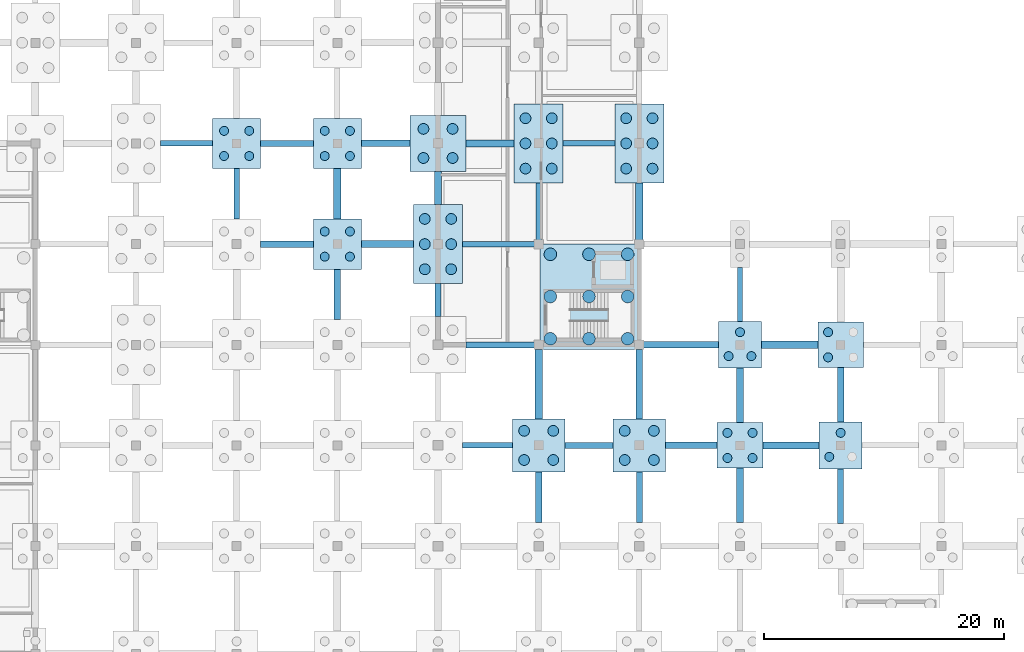
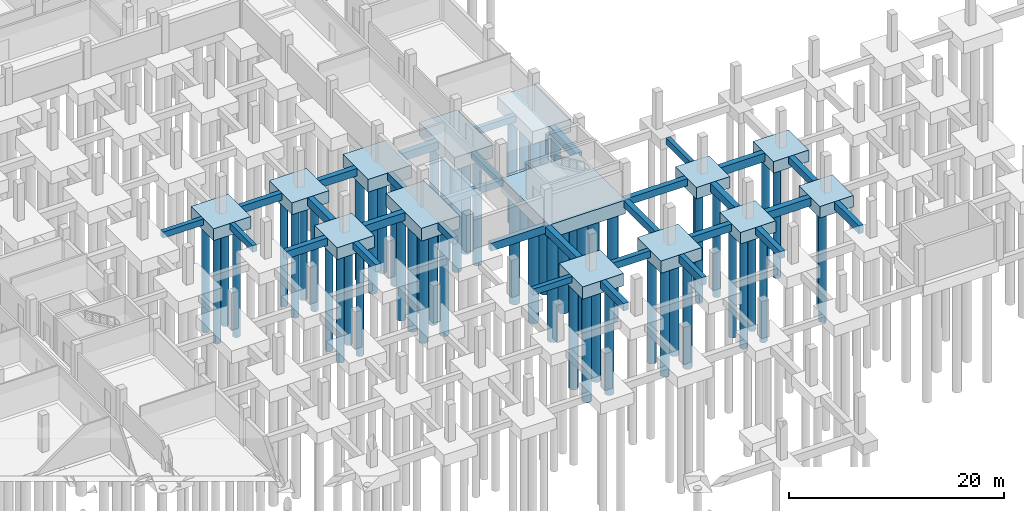
# One storey, part 5 of 20: 62 piles, 45 footings.
"""IFC4 building model written with IfcOpenShell, lengths in metres."""

import ifcopenshell
import ifcopenshell.guid

model = None  # the IFC model being written
_history = None  # IfcOwnerHistory: only IFC2X3 demands one
_inside = {}  # id of a spatial element -> (the spatial element, [elements in it])
_under = {}  # id of a project, library or spatial element -> (it, [spatial elements below it])
_declared = {}  # id of a project -> (the project, [libraries it declares])
_typed = {}  # id of a type object -> (the type object, [elements of that type])
_made_of = {}  # id of a material, layer set ... -> (it, [elements and type objects made of it])


def new_model(schema):
    """Start an empty IFC model of exactly this schema.

    Asked for "IFC4X3", IfcOpenShell would pick the latest addendum, in which some entities
    have other attributes; the version numbers below select the first issue.
    IFC2X3 requires an IfcOwnerHistory on every rooted entity: one is made here for all.
    """
    global model, _history
    if schema == "IFC4X3":
        model = ifcopenshell.file(schema_version=(4, 3, 0, 0))
    else:
        model = ifcopenshell.file(schema=schema)
    _inside.clear()
    _under.clear()
    _declared.clear()
    _typed.clear()
    _made_of.clear()
    _history = None
    if model.schema == "IFC2X3":
        org = make("IfcOrganization", Name="unknown")
        user = make(
            "IfcPersonAndOrganization",
            ThePerson=make("IfcPerson", FamilyName="unknown"),
            TheOrganization=org,
        )
        app = make(
            "IfcApplication",
            ApplicationDeveloper=org,
            Version="unknown",
            ApplicationFullName="unknown",
            ApplicationIdentifier="unknown",
        )
        _history = make(
            "IfcOwnerHistory",
            OwningUser=user,
            OwningApplication=app,
            ChangeAction="ADDED",
            CreationDate=0,
        )
    return model


def make(cls, **values):
    """One entity of the class cls with the attributes given. An attribute that is None is left unset."""
    return model.create_entity(
        cls, **{name: value for name, value in values.items() if value is not None}
    )


def rooted(cls, **values):
    """An entity with a GlobalId (a new one), such as an element, a storey or a relation."""
    return make(cls, GlobalId=ifcopenshell.guid.new(), OwnerHistory=_history, **values)


def si_unit(unit_type, name, prefix=None):
    """IfcSIUnit, for example si_unit("LENGTHUNIT", "METRE", prefix="MILLI")."""
    return make("IfcSIUnit", UnitType=unit_type, Prefix=prefix, Name=name)


def assignment(units):
    """IfcUnitAssignment: the units of a project."""
    return None if units is None else make("IfcUnitAssignment", Units=units)


def point(xyz):
    """IfcCartesianPoint."""
    return None if xyz is None else make("IfcCartesianPoint", Coordinates=xyz)


def direction(xyz):
    """IfcDirection."""
    return None if xyz is None else make("IfcDirection", DirectionRatios=xyz)


def frame(location, z_axis=None, x_axis=None):
    """IfcAxis2Placement3D, a coordinate frame: its origin and axes. An axis left out is left unset."""
    return make(
        "IfcAxis2Placement3D",
        Location=point(location),
        Axis=direction(z_axis),
        RefDirection=direction(x_axis),
    )


def frame_2d(location, x_axis=None):
    """IfcAxis2Placement2D, a coordinate frame in the plane: its origin and x axis."""
    return make(
        "IfcAxis2Placement2D", Location=point(location), RefDirection=direction(x_axis)
    )


def origin():
    """The frame at (0, 0, 0) with its axes left unset."""
    return frame((0.0, 0.0, 0.0))


def origin_2d():
    """The frame at (0, 0) in the plane with its x axis left unset."""
    return frame_2d((0.0, 0.0))


def place(relative_to, where):
    """IfcLocalPlacement: puts the frame where relative to a parent placement (None: the world)."""
    return make(
        "IfcLocalPlacement", PlacementRelTo=relative_to, RelativePlacement=where
    )


def context(
    kind, dimensions, precision=None, world=None, true_north=None, identifier=None
):
    """IfcGeometricRepresentationContext, for example the 3D "Model" context."""
    return make(
        "IfcGeometricRepresentationContext",
        ContextIdentifier=identifier,
        ContextType=kind,
        CoordinateSpaceDimension=dimensions,
        Precision=precision,
        WorldCoordinateSystem=world,
        TrueNorth=true_north,
    )


def subcontext(parent, identifier, kind, view, scale=None):
    """IfcGeometricRepresentationSubContext, for example "Body" below "Model"."""
    return make(
        "IfcGeometricRepresentationSubContext",
        ContextIdentifier=identifier,
        ContextType=kind,
        ParentContext=parent,
        TargetScale=scale,
        TargetView=view,
    )


def project(units=None, contexts=None):
    """IfcProject with its units and contexts."""
    return rooted(
        "IfcProject",
        Name="project",
        RepresentationContexts=contexts,
        UnitsInContext=assignment(units),
    )


def spatial(cls, under=None, at=None, **own):
    """A site, building, storey or space (cls), placed at a placement, below another one or the project."""
    s = rooted(cls, ObjectPlacement=at, **own)
    if under is not None:
        _under.setdefault(under.id(), (under, []))[1].append(s)
    return s


def profile(cls, at=None, kind="AREA", **sizes):
    """A parametric profile (cls). Its sizes go by their IFC names, for example OverallWidth=200.0."""
    return make(cls, ProfileType=kind, Position=at, **sizes)


def rectangle(**sizes):
    """IfcRectangleProfileDef."""
    return profile("IfcRectangleProfileDef", **sizes)


def circle(**sizes):
    """IfcCircleProfileDef."""
    return profile("IfcCircleProfileDef", **sizes)


def extrude(swept, where, along, depth):
    """IfcExtrudedAreaSolid: the profile swept, set in the frame where, extruded along a direction by depth."""
    return make(
        "IfcExtrudedAreaSolid",
        SweptArea=swept,
        Position=where,
        ExtrudedDirection=direction(along),
        Depth=depth,
    )


def shape(context_of_items, identifier, shape_type, items):
    """IfcShapeRepresentation: the items that make up one representation, for example the "Body"."""
    return make(
        "IfcShapeRepresentation",
        ContextOfItems=context_of_items,
        RepresentationIdentifier=identifier,
        RepresentationType=shape_type,
        Items=items,
    )


def material(Name=None, Category=None):
    """IfcMaterial."""
    return make("IfcMaterial", Name=Name, Category=Category)


def material_profile(
    of_material, cross_section, Name=None, Category=None, Priority=None
):
    """IfcMaterialProfile: a cross section and its material."""
    return make(
        "IfcMaterialProfile",
        Name=Name,
        Material=of_material,
        Profile=cross_section,
        Priority=Priority,
        Category=Category,
    )


def profile_set(profiles, Name=None, composite=None):
    """IfcMaterialProfileSet."""
    return make(
        "IfcMaterialProfileSet",
        Name=Name,
        MaterialProfiles=profiles,
        CompositeProfile=composite,
    )


def made_of(thing, what):
    """Note that an element or type object is made of a material, layer set ...; save() writes the relation."""
    if what is not None:
        _made_of.setdefault(what.id(), (what, []))[1].append(thing)
    return thing


def type_object(cls, material=None, **own):
    """A type object (cls), such as IfcWallType, which elements share."""
    return made_of(rooted(cls, **own), material)


def element(
    cls,
    number,
    at=None,
    inside=None,
    cuts=None,
    type_object=None,
    material=None,
    context=None,
    identifier="Body",
    shape_type=None,
    held_by="IfcProductDefinitionShape",
    body=None,
    shapes=None,
    **own,
):
    """One element of the class cls, such as IfcWall. Its Tag is "e" and its number.

    at: its placement. inside: the storey or other place that contains it. cuts: it is an
    opening in that element (IfcRelVoidsElement). A single representation is given by context,
    identifier, shape_type and body (its items); several are given by shapes. held_by: the class
    of the entity that holds the representations. save() writes the other relations.
    """
    e = rooted(cls, Tag="e%d" % number, ObjectPlacement=at, **own)
    if body is not None:
        shapes = [shape(context, identifier, shape_type, body)]
    if shapes is not None:
        e.Representation = make(held_by, Representations=shapes)
    if inside is not None:
        _inside.setdefault(inside.id(), (inside, []))[1].append(e)
    if cuts is not None:
        rooted(
            "IfcRelVoidsElement", RelatingBuildingElement=cuts, RelatedOpeningElement=e
        )
    if type_object is not None:
        _typed.setdefault(type_object.id(), (type_object, []))[1].append(e)
    return made_of(e, material)


def aggregate(whole, parts):
    """IfcRelAggregates: a whole, such as a stair, and the parts it consists of."""
    return rooted("IfcRelAggregates", RelatingObject=whole, RelatedObjects=parts)


def save(model, path):
    """Write the relations noted so far, then the file.

    IfcRelAggregates (storeys below a building ...), IfcRelContainedInSpatialStructure (elements
    in a storey), IfcRelDefinesByType, IfcRelAssociatesMaterial and IfcRelDeclares: one each for
    every whole, place, type object, material and project.
    """
    for whole, parts in _under.values():
        aggregate(whole, parts)
    for where, things in _inside.values():
        rooted(
            "IfcRelContainedInSpatialStructure",
            RelatedElements=things,
            RelatingStructure=where,
        )
    for kind, things in _typed.values():
        rooted("IfcRelDefinesByType", RelatedObjects=things, RelatingType=kind)
    for what, things in _made_of.values():
        rooted("IfcRelAssociatesMaterial", RelatedObjects=things, RelatingMaterial=what)
    for by, libraries in _declared.values():
        rooted("IfcRelDeclares", RelatingContext=by, RelatedDefinitions=libraries)
    model.write(path)


model = new_model("IFC4")

# Units and contexts
model_context = context("Model", 3, precision=1e-05, world=origin(), true_north=direction((0.0, 1.0)))
body_context = subcontext(model_context, "Body", "Model", "MODEL_VIEW")
ifc_project = project(units=[si_unit("LENGTHUNIT", "METRE"), si_unit("AREAUNIT", "SQUARE_METRE"), si_unit("VOLUMEUNIT", "CUBIC_METRE"), si_unit("PLANEANGLEUNIT", "RADIAN"), si_unit("MASSUNIT", "GRAM", prefix="KILO")], contexts=[model_context])

# Site, building, storey
site_placement = place(None, origin())
site = spatial("IfcSite", under=ifc_project, at=site_placement, CompositionType="ELEMENT")
building_placement = place(site_placement, origin())
building = spatial("IfcBuilding", under=site, at=building_placement, Name="Vireocrest Preparatory School", CompositionType="ELEMENT")
storey_placement = place(building_placement, frame((0.0, 0.0, -4.199951171875)))
storey = spatial("IfcBuildingStorey", under=building, at=storey_placement, Name="B01", CompositionType="ELEMENT", Elevation=-4.199951171875)

# Piles
ifc_material = material(Name="Concrete 40 MPa", Category="concrete")
ifc_material_profile_1 = material_profile(ifc_material, circle(Radius=0.52490234375, at=origin_2d()), Name="BORED PILE 1050")
ifc_profile_set_1 = profile_set([ifc_material_profile_1], Name="Concrete 40 MPa")
pile_type_1 = type_object("IfcPileType", Name="Bored Concrete Pile 1050", PredefinedType="BORED", material=ifc_profile_set_1)
for number, where, z_axis, x_axis, name in (
    (1, (101.77490234375, 44.300048828125, -1.449951171875), (0.0, 0.0, -1.0), (1.0, 0.0, 0.0), "Bored Pile P04 Core K2-1"),
    (2, (101.77490234375, 47.824951171875, -1.449951171875), (0.0, 0.0, -1.0), (1.0, 0.0, 0.0), "Bored Pile P04 Core K2-2"),
    (3, (101.77490234375, 51.35009765625, -1.449951171875), (0.0, 0.0, -1.0), (1.0, 0.0, 0.0), "Bored Pile P04 Core K2-3"),
    (4, (105.0, 44.300048828125, -1.449951171875), (0.0, 0.0, -1.0), (1.0, 0.0, 0.0), "Bored Pile P04 Core K2-4"),
    (5, (105.0, 47.824951171875, -1.449951171875), (0.0, 0.0, -1.0), (1.0, 0.0, 0.0), "Bored Pile P04 Core K2-5"),
    (6, (105.0, 51.35009765625, -1.449951171875), (0.0, 0.0, -1.0), (1.0, 0.0, 0.0), "Bored Pile P04 Core K2-6"),
    (7, (108.22509765625, 44.300048828125, -1.449951171875), (0.0, 0.0, -1.0), (1.0, 0.0, 0.0), "Bored Pile P04 Core K2-7"),
    (8, (108.22509765625, 47.824951171875, -1.449951171875), (0.0, 0.0, -1.0), (1.0, 0.0, 0.0), "Bored Pile P04 Core K2-8"),
    (9, (108.22509765625, 51.35009765625, -1.449951171875), (0.0, 0.0, -1.0), (1.0, 0.0, 0.0), "Bored Pile P04 Core K2-9"),
):
    element("IfcPile", number, at=place(storey_placement, frame(where, z_axis=z_axis, x_axis=x_axis)), inside=storey, type_object=pile_type_1, Name=name, PredefinedType="BORED", context=body_context, shape_type="SweptSolid", body=[
        extrude(circle(Radius=0.52490234375, at=origin_2d()), origin(), (0.0, 0.0, 1.0), 12.35009765625),
    ])
ifc_material_profile_2 = material_profile(ifc_material, circle(Radius=0.375, at=origin_2d()), Name="BORED PILE 750")
ifc_profile_set_2 = profile_set([ifc_material_profile_2], Name="Concrete 40 MPa")
pile_type_2 = type_object("IfcPileType", Name="Bored Concrete Pile 750", PredefinedType="BORED", material=ifc_profile_set_2)
for number, where, z_axis, x_axis, name in (
    (10, (74.550048828125, 59.550048828125, -1.25), (0.0, 0.0, -1.0), (1.0, 0.0, 0.0), "Bored Pile P02 080-1"),
    (11, (76.64990234375, 59.550048828125, -1.25), (0.0, 0.0, -1.0), (1.0, 0.0, 0.0), "Bored Pile P02 080-2"),
    (12, (74.550048828125, 61.64990234375, -1.25), (0.0, 0.0, -1.0), (1.0, 0.0, 0.0), "Bored Pile P02 080-3"),
    (13, (76.64990234375, 61.64990234375, -1.25), (0.0, 0.0, -1.0), (1.0, 0.0, 0.0), "Bored Pile P02 080-4"),
    (14, (82.949951171875, 51.14990234375, -1.25), (0.0, 0.0, -1.0), (1.0, 0.0, 0.0), "Bored Pile P02 092-1"),
    (15, (85.050048828125, 51.14990234375, -1.25), (0.0, 0.0, -1.0), (1.0, 0.0, 0.0), "Bored Pile P02 092-2"),
    (16, (82.949951171875, 53.25, -1.25), (0.0, 0.0, -1.0), (1.0, 0.0, 0.0), "Bored Pile P02 092-3"),
    (17, (85.050048828125, 53.25, -1.25), (0.0, 0.0, -1.0), (1.0, 0.0, 0.0), "Bored Pile P02 092-4"),
    (18, (82.949951171875, 59.550048828125, -1.25), (0.0, 0.0, -1.0), (1.0, 0.0, 0.0), "Bored Pile P02 093-1"),
    (19, (85.050048828125, 59.550048828125, -1.25), (0.0, 0.0, -1.0), (1.0, 0.0, 0.0), "Bored Pile P02 093-2"),
    (20, (82.949951171875, 61.64990234375, -1.25), (0.0, 0.0, -1.0), (1.0, 0.0, 0.0), "Bored Pile P02 093-3"),
    (21, (85.050048828125, 61.64990234375, -1.25), (0.0, 0.0, -1.0), (1.0, 0.0, 0.0), "Bored Pile P02 093-4"),
):
    element("IfcPile", number, at=place(storey_placement, frame(where, z_axis=z_axis, x_axis=x_axis)), inside=storey, type_object=pile_type_2, Name=name, PredefinedType="BORED", context=body_context, shape_type="SweptSolid", body=[
        extrude(circle(Radius=0.375, at=origin_2d()), origin(), (0.0, 0.0, 1.0), 12.550048828125),
    ])
for number, where, z_axis, x_axis, name in (
    (22, (116.550048828125, 34.35009765625, -1.199951171875), (0.0, 0.0, -1.0), (1.0, 0.0, 0.0), "Bored Pile P02 142-1"),
    (23, (118.64990234375, 34.35009765625, -1.199951171875), (0.0, 0.0, -1.0), (1.0, 0.0, 0.0), "Bored Pile P02 142-2"),
    (24, (116.550048828125, 36.449951171875, -1.199951171875), (0.0, 0.0, -1.0), (1.0, 0.0, 0.0), "Bored Pile P02 142-3"),
    (25, (118.64990234375, 36.449951171875, -1.199951171875), (0.0, 0.0, -1.0), (1.0, 0.0, 0.0), "Bored Pile P02 142-4"),
    (26, (116.64990234375, 42.85009765625, -1.199951171875), (0.0, 0.0, -1.0), (1.0, 0.0, 0.0), "Bored Pile P02 143-1"),
    (27, (118.550048828125, 42.85009765625, -1.199951171875), (0.0, 0.0, -1.0), (1.0, 0.0, 0.0), "Bored Pile P02 143-2"),
    (28, (117.60009765625, 44.85009765625, -1.199951171875), (0.0, 0.0, -1.0), (1.0, 0.0, 0.0), "Bored Pile P02 143-3"),
    (29, (125.050048828125, 34.449951171875, -1.199951171875), (0.0, 0.0, -1.0), (1.0, 0.0, 0.0), "Bored Pile P02 151-1"),
    (30, (126.0, 36.449951171875, -1.199951171875), (0.0, 0.0, -1.0), (1.0, 0.0, 0.0), "Bored Pile P02 151-3"),
    (31, (124.949951171875, 42.75, -1.199951171875), (0.0, 0.0, -1.0), (1.0, 0.0, 0.0), "Bored Pile P02 152-1"),
    (32, (124.949951171875, 44.85009765625, -1.199951171875), (0.0, 0.0, -1.0), (1.0, 0.0, 0.0), "Bored Pile P02 152-3"),
):
    element("IfcPile", number, at=place(storey_placement, frame(where, z_axis=z_axis, x_axis=x_axis)), inside=storey, type_object=pile_type_2, Name=name, PredefinedType="BORED", context=body_context, shape_type="SweptSolid", body=[
        extrude(circle(Radius=0.375, at=origin_2d()), origin(), (0.0, 0.0, 1.0), 12.60009765625),
    ])
ifc_material_profile_3 = material_profile(ifc_material, circle(Radius=0.449951171875, at=origin_2d()), Name="BORED PILE 900")
ifc_profile_set_3 = profile_set([ifc_material_profile_3], Name="Concrete 40 MPa")
pile_type_3 = type_object("IfcPileType", Name="Bored Concrete Pile 900", PredefinedType="BORED", material=ifc_profile_set_3)
for number, where, z_axis, x_axis, name in (
    (33, (91.300048828125, 50.10009765625, -1.35009765625), (0.0, 0.0, -1.0), (1.0, 0.0, 0.0), "Bored Pile P03 105-1"),
    (34, (93.5, 50.10009765625, -1.35009765625), (0.0, 0.0, -1.0), (1.0, 0.0, 0.0), "Bored Pile P03 105-2"),
    (35, (91.300048828125, 52.199951171875, -1.35009765625), (0.0, 0.0, -1.0), (1.0, 0.0, 0.0), "Bored Pile P03 105-3"),
    (36, (93.5, 52.199951171875, -1.35009765625), (0.0, 0.0, -1.0), (1.0, 0.0, 0.0), "Bored Pile P03 105-4"),
    (37, (91.300048828125, 54.300048828125, -1.35009765625), (0.0, 0.0, -1.0), (1.0, 0.0, 0.0), "Bored Pile P03 105-5"),
    (38, (93.5, 54.300048828125, -1.35009765625), (0.0, 0.0, -1.0), (1.0, 0.0, 0.0), "Bored Pile P03 105-6"),
    (39, (91.18505859375, 59.385009765625, -1.35009765625), (0.0, 0.0, -1.0), (1.0, 0.0, 0.0), "Bored Pile P03 106-1"),
    (40, (93.614990234375, 59.385009765625, -1.35009765625), (0.0, 0.0, -1.0), (1.0, 0.0, 0.0), "Bored Pile P03 106-2"),
    (41, (91.18505859375, 61.81494140625, -1.35009765625), (0.0, 0.0, -1.0), (1.0, 0.0, 0.0), "Bored Pile P03 106-3"),
    (42, (93.614990234375, 61.81494140625, -1.35009765625), (0.0, 0.0, -1.0), (1.0, 0.0, 0.0), "Bored Pile P03 106-4"),
):
    element("IfcPile", number, at=place(storey_placement, frame(where, z_axis=z_axis, x_axis=x_axis)), inside=storey, type_object=pile_type_3, Name=name, PredefinedType="BORED", context=body_context, shape_type="SweptSolid", body=[
        extrude(circle(Radius=0.449951171875, at=origin_2d()), origin(), (0.0, 0.0, 1.0), 12.449951171875),
    ])
for number, where, z_axis, x_axis, name in (
    (43, (99.5849609375, 34.18505859375, -1.300048828125), (0.0, 0.0, -1.0), (1.0, 0.0, 0.0), "Bored Pile P03 116-1"),
    (44, (102.014892578125, 34.18505859375, -1.300048828125), (0.0, 0.0, -1.0), (1.0, 0.0, 0.0), "Bored Pile P03 116-2"),
    (45, (99.5849609375, 36.614990234375, -1.300048828125), (0.0, 0.0, -1.0), (1.0, 0.0, 0.0), "Bored Pile P03 116-3"),
    (46, (102.014892578125, 36.614990234375, -1.300048828125), (0.0, 0.0, -1.0), (1.0, 0.0, 0.0), "Bored Pile P03 116-4"),
):
    element("IfcPile", number, at=place(storey_placement, frame(where, z_axis=z_axis, x_axis=x_axis)), inside=storey, type_object=pile_type_3, Name=name, PredefinedType="BORED", context=body_context, shape_type="SweptSolid", body=[
        extrude(circle(Radius=0.449951171875, at=origin_2d()), origin(), (0.0, 0.0, 1.0), 12.5),
    ])
for number, where, z_axis, x_axis, name in (
    (47, (99.699951171875, 58.5, -1.35009765625), (0.0, 0.0, -1.0), (1.0, 0.0, 0.0), "Bored Pile P03 119-1"),
    (48, (101.89990234375, 58.5, -1.35009765625), (0.0, 0.0, -1.0), (1.0, 0.0, 0.0), "Bored Pile P03 119-2"),
    (49, (99.699951171875, 60.60009765625, -1.35009765625), (0.0, 0.0, -1.0), (1.0, 0.0, 0.0), "Bored Pile P03 119-3"),
    (50, (101.89990234375, 60.60009765625, -1.35009765625), (0.0, 0.0, -1.0), (1.0, 0.0, 0.0), "Bored Pile P03 119-4"),
    (51, (99.699951171875, 62.699951171875, -1.35009765625), (0.0, 0.0, -1.0), (1.0, 0.0, 0.0), "Bored Pile P03 119-5"),
    (52, (101.89990234375, 62.699951171875, -1.35009765625), (0.0, 0.0, -1.0), (1.0, 0.0, 0.0), "Bored Pile P03 119-6"),
):
    element("IfcPile", number, at=place(storey_placement, frame(where, z_axis=z_axis, x_axis=x_axis)), inside=storey, type_object=pile_type_3, Name=name, PredefinedType="BORED", context=body_context, shape_type="SweptSolid", body=[
        extrude(circle(Radius=0.449951171875, at=origin_2d()), origin(), (0.0, 0.0, 1.0), 12.449951171875),
    ])
for number, where, z_axis, x_axis, name in (
    (53, (107.985107421875, 34.18505859375, -1.300048828125), (0.0, 0.0, -1.0), (1.0, 0.0, 0.0), "Bored Pile P03 130-1"),
    (54, (110.4150390625, 34.18505859375, -1.300048828125), (0.0, 0.0, -1.0), (1.0, 0.0, 0.0), "Bored Pile P03 130-2"),
    (55, (107.985107421875, 36.614990234375, -1.300048828125), (0.0, 0.0, -1.0), (1.0, 0.0, 0.0), "Bored Pile P03 130-3"),
    (56, (110.4150390625, 36.614990234375, -1.300048828125), (0.0, 0.0, -1.0), (1.0, 0.0, 0.0), "Bored Pile P03 130-4"),
):
    element("IfcPile", number, at=place(storey_placement, frame(where, z_axis=z_axis, x_axis=x_axis)), inside=storey, type_object=pile_type_3, Name=name, PredefinedType="BORED", context=body_context, shape_type="SweptSolid", body=[
        extrude(circle(Radius=0.449951171875, at=origin_2d()), origin(), (0.0, 0.0, 1.0), 12.5),
    ])
for number, where, z_axis, x_axis, name in (
    (57, (108.10009765625, 58.5, -1.35009765625), (0.0, 0.0, -1.0), (1.0, 0.0, 0.0), "Bored Pile P03 133-1"),
    (58, (110.300048828125, 58.5, -1.35009765625), (0.0, 0.0, -1.0), (1.0, 0.0, 0.0), "Bored Pile P03 133-2"),
    (59, (108.10009765625, 60.60009765625, -1.35009765625), (0.0, 0.0, -1.0), (1.0, 0.0, 0.0), "Bored Pile P03 133-3"),
    (60, (110.300048828125, 60.60009765625, -1.35009765625), (0.0, 0.0, -1.0), (1.0, 0.0, 0.0), "Bored Pile P03 133-4"),
    (61, (108.10009765625, 62.699951171875, -1.35009765625), (0.0, 0.0, -1.0), (1.0, 0.0, 0.0), "Bored Pile P03 133-5"),
    (62, (110.300048828125, 62.699951171875, -1.35009765625), (0.0, 0.0, -1.0), (1.0, 0.0, 0.0), "Bored Pile P03 133-6"),
):
    element("IfcPile", number, at=place(storey_placement, frame(where, z_axis=z_axis, x_axis=x_axis)), inside=storey, type_object=pile_type_3, Name=name, PredefinedType="BORED", context=body_context, shape_type="SweptSolid", body=[
        extrude(circle(Radius=0.449951171875, at=origin_2d()), origin(), (0.0, 0.0, 1.0), 12.449951171875),
    ])

# Footings
footing_type_1 = type_object("IfcFootingType", Name="Combined Core Pile Cap 8000x8800x1550", PredefinedType="PILE_CAP", material=ifc_material)
footing_1_placement = place(storey_placement, frame((105.0, 47.824951171875, -1.55029296875), z_axis=(0.0, 0.0, 1.0), x_axis=(1.0, 0.0, 0.0)))
element("IfcFooting", 63, at=footing_1_placement, inside=storey, type_object=footing_type_1, Name="Combined Core Pile Cap K2", PredefinedType="PILE_CAP", context=body_context, shape_type="SweptSolid", body=[
    extrude(rectangle(XDim=8.199951171875, YDim=8.800048828125, at=origin_2d()), origin(), (0.0, 0.0, 1.0), 1.550048828125),
])
footing_type_2 = type_object("IfcFootingType", Name="Four-Pile Cap 3800x3800x1300", PredefinedType="PILE_CAP", material=ifc_material)
for number, where, z_axis, x_axis, name in (
    (64, (117.60009765625, 35.39990234375, -1.30029296875), (0.0, 0.0, 1.0), (1.0, 0.0, 0.0), "Pile Cap PC05 at (117.6, 35.4)"),
    (65, (126.0, 43.800048828125, -1.30029296875), (0.0, 0.0, 1.0), (1.0, 0.0, 0.0), "Pile Cap PC05 at (126.0, 43.8)"),
):
    element("IfcFooting", number, at=place(storey_placement, frame(where, z_axis=z_axis, x_axis=x_axis)), inside=storey, type_object=footing_type_2, Name=name, PredefinedType="PILE_CAP", context=body_context, shape_type="SweptSolid", body=[
        extrude(rectangle(XDim=3.800048828125, YDim=3.800048828125, at=origin_2d()), origin(), (0.0, 0.0, 1.0), 1.300048828125),
    ])
footing_type_3 = type_object("IfcFootingType", Name="Four-Pile Cap 4400x4400x1400", PredefinedType="PILE_CAP", material=ifc_material)
for number, where, z_axis, x_axis, name in (
    (66, (100.800048828125, 35.39990234375, -1.39990234375), (0.0, 0.0, 1.0), (1.0, 0.0, 0.0), "Pile Cap PC07 at (100.8, 35.4)"),
    (67, (109.199951171875, 35.39990234375, -1.39990234375), (0.0, 0.0, 1.0), (1.0, 0.0, 0.0), "Pile Cap PC07 at (109.2, 35.4)"),
):
    element("IfcFooting", number, at=place(storey_placement, frame(where, z_axis=z_axis, x_axis=x_axis)), inside=storey, type_object=footing_type_3, Name=name, PredefinedType="PILE_CAP", context=body_context, shape_type="SweptSolid", body=[
        extrude(rectangle(XDim=4.39990234375, YDim=4.39990234375, at=origin_2d()), origin(), (0.0, 0.0, 1.0), 1.39990234375),
    ])
footing_type_4 = type_object("IfcFootingType", Name="Four-Pile Cap 4700x4700x1450", PredefinedType="PILE_CAP", material=ifc_material)
footing_2_placement = place(storey_placement, frame((92.39990234375, 60.60009765625, -1.4501953125), z_axis=(0.0, 0.0, 1.0), x_axis=(1.0, 0.0, 0.0)))
element("IfcFooting", 68, at=footing_2_placement, inside=storey, type_object=footing_type_4, Name="Pile Cap PC08 at (92.4, 60.6)", PredefinedType="PILE_CAP", context=body_context, shape_type="SweptSolid", body=[
    extrude(rectangle(XDim=4.699951171875, YDim=4.699951171875, at=origin_2d()), origin(), (0.0, 0.0, 1.0), 1.449951171875),
])
footing_type_5 = type_object("IfcFootingType", Name="Four-Pile Court V-Trunk Cap 4000x4200x1350", PredefinedType="PILE_CAP", material=ifc_material)
for number, where, z_axis, x_axis, name in (
    (69, (75.60009765625, 60.60009765625, -1.35009765625), (0.0, 0.0, 1.0), (1.0, 0.0, 0.0), "Pile Cap PC09 at (75.6, 60.6)"),
    (70, (84.0, 52.199951171875, -1.35009765625), (0.0, 0.0, 1.0), (1.0, 0.0, 0.0), "Pile Cap PC09 at (84.0, 52.2)"),
    (71, (84.0, 60.60009765625, -1.35009765625), (0.0, 0.0, 1.0), (1.0, 0.0, 0.0), "Pile Cap PC09 at (84.0, 60.6)"),
):
    element("IfcFooting", number, at=place(storey_placement, frame(where, z_axis=z_axis, x_axis=x_axis)), inside=storey, type_object=footing_type_5, Name=name, PredefinedType="PILE_CAP", context=body_context, shape_type="SweptSolid", body=[
        extrude(rectangle(XDim=4.0, YDim=4.199951171875, at=origin_2d()), origin(), (0.0, 0.0, 1.0), 1.35009765625),
    ])
ifc_material_profile_4 = material_profile(ifc_material, rectangle(XDim=0.550048828125, YDim=0.800048828125, at=origin_2d()), Name="GB 550x800")
ifc_profile_set_4 = profile_set([ifc_material_profile_4], Name="Concrete 40 MPa")
footing_type_6 = type_object("IfcFootingType", Name="RC Court Tie Beam 550x800", PredefinedType="FOOTING_BEAM", material=ifc_profile_set_4)
footing_3_placement = place(storey_placement, frame((109.10009765625, 43.800048828125, -0.400146484375), z_axis=(1.0, 0.0, 0.0), x_axis=(0.0, 1.0, 0.0)))
element("IfcFooting", 72, at=footing_3_placement, inside=storey, type_object=footing_type_6, Name="Foundation Grade Beam GB06-062", PredefinedType="FOOTING_BEAM", context=body_context, shape_type="SweptSolid", body=[
    extrude(rectangle(XDim=0.550048828125, YDim=0.800048828125, at=origin_2d()), origin(), (0.0, 0.0, 1.0), 6.699951171875),
])
footing_4_placement = place(storey_placement, frame((84.0, 45.89990234375, -0.400146484375), z_axis=(0.0, 1.0, 0.0), x_axis=(-1.0, 0.0, 0.0)))
element("IfcFooting", 73, at=footing_4_placement, inside=storey, type_object=footing_type_6, Name="Foundation Grade Beam GB06-214", PredefinedType="FOOTING_BEAM", context=body_context, shape_type="SweptSolid", body=[
    extrude(rectangle(XDim=0.550048828125, YDim=0.800048828125, at=origin_2d()), origin(), (0.0, 0.0, 1.0), 4.2001953125),
])
footing_5_placement = place(storey_placement, frame((109.199951171875, 37.60009765625, -0.400146484375), z_axis=(0.0, 1.0, 0.0), x_axis=(-1.0, 0.0, 0.0)))
element("IfcFooting", 74, at=footing_5_placement, inside=storey, type_object=footing_type_6, Name="Foundation Grade Beam GB06-246", PredefinedType="FOOTING_BEAM", context=body_context, shape_type="SweptSolid", body=[
    extrude(rectangle(XDim=0.550048828125, YDim=0.800048828125, at=origin_2d()), origin(), (0.0, 0.0, 1.0), 5.824951171875),
])
footing_6_placement = place(storey_placement, frame((117.60009765625, 28.949951171875, -0.400146484375), z_axis=(0.0, 1.0, 0.0), x_axis=(-1.0, 0.0, 0.0)))
element("IfcFooting", 75, at=footing_6_placement, inside=storey, type_object=footing_type_6, Name="Foundation Grade Beam GB06-254", PredefinedType="FOOTING_BEAM", context=body_context, shape_type="SweptSolid", body=[
    extrude(rectangle(XDim=0.550048828125, YDim=0.800048828125, at=origin_2d()), origin(), (0.0, 0.0, 1.0), 4.550048828125),
])
footing_7_placement = place(storey_placement, frame((126.0, 37.35009765625, -0.400146484375), z_axis=(0.0, 1.0, 0.0), x_axis=(-1.0, 0.0, 0.0)))
element("IfcFooting", 76, at=footing_7_placement, inside=storey, type_object=footing_type_6, Name="Foundation Grade Beam GB06-262", PredefinedType="FOOTING_BEAM", context=body_context, shape_type="SweptSolid", body=[
    extrude(rectangle(XDim=0.550048828125, YDim=0.800048828125, at=origin_2d()), origin(), (0.0, 0.0, 1.0), 4.5498046875),
])
ifc_material_profile_5 = material_profile(ifc_material, rectangle(XDim=0.5, YDim=0.800048828125, at=origin_2d()), Name="GB 500x800")
ifc_profile_set_5 = profile_set([ifc_material_profile_5], Name="Concrete 40 MPa")
footing_type_7 = type_object("IfcFootingType", Name="RC Foundation Grade Beam 500x800", PredefinedType="FOOTING_BEAM", material=ifc_profile_set_5)
footing_8_placement = place(storey_placement, frame((103.0, 35.39990234375, -0.400146484375), z_axis=(1.0, 0.0, 0.0), x_axis=(0.0, 1.0, 0.0)))
element("IfcFooting", 77, at=footing_8_placement, inside=storey, type_object=footing_type_7, Name="Foundation Grade Beam GB01-049", PredefinedType="FOOTING_BEAM", context=body_context, shape_type="SweptSolid", body=[
    extrude(rectangle(XDim=0.5, YDim=0.800048828125, at=origin_2d()), origin(), (0.0, 0.0, 1.0), 4.0),
])
footing_9_placement = place(storey_placement, frame((77.60009765625, 60.60009765625, -0.400146484375), z_axis=(1.0, 0.0, 0.0), x_axis=(0.0, 1.0, 0.0)))
element("IfcFooting", 78, at=footing_9_placement, inside=storey, type_object=footing_type_7, Name="Foundation Grade Beam GB01-089", PredefinedType="FOOTING_BEAM", context=body_context, shape_type="SweptSolid", body=[
    extrude(rectangle(XDim=0.5, YDim=0.800048828125, at=origin_2d()), origin(), (0.0, 0.0, 1.0), 4.39990234375),
])
footing_10_placement = place(storey_placement, frame((92.39990234375, 46.14990234375, -0.400146484375), z_axis=(0.0, 1.0, 0.0), x_axis=(-1.0, 0.0, 0.0)))
element("IfcFooting", 79, at=footing_10_placement, inside=storey, type_object=footing_type_7, Name="Foundation Grade Beam GB01-225", PredefinedType="FOOTING_BEAM", context=body_context, shape_type="SweptSolid", body=[
    extrude(rectangle(XDim=0.5, YDim=0.800048828125, at=origin_2d()), origin(), (0.0, 0.0, 1.0), 2.75),
])
ifc_material_profile_6 = material_profile(ifc_material, rectangle(XDim=0.550048828125, YDim=0.85009765625, at=origin_2d()), Name="GB 550x850")
ifc_profile_set_6 = profile_set([ifc_material_profile_6], Name="Concrete 40 MPa")
footing_type_8 = type_object("IfcFootingType", Name="RC Foundation Grade Beam 550x850", PredefinedType="FOOTING_BEAM", material=ifc_profile_set_6)
footing_11_placement = place(storey_placement, frame((111.39990234375, 35.39990234375, -0.425048828125), z_axis=(1.0, 0.0, 0.0), x_axis=(0.0, 1.0, 0.0)))
element("IfcFooting", 80, at=footing_11_placement, inside=storey, type_object=footing_type_8, Name="Foundation Grade Beam GB02-050", PredefinedType="FOOTING_BEAM", context=body_context, shape_type="SweptSolid", body=[
    extrude(rectangle(XDim=0.550048828125, YDim=0.85009765625, at=origin_2d()), origin(), (0.0, 0.0, 1.0), 4.300048828125),
])
footing_12_placement = place(storey_placement, frame((77.60009765625, 52.199951171875, -0.425048828125), z_axis=(1.0, 0.0, 0.0), x_axis=(0.0, 1.0, 0.0)))
element("IfcFooting", 81, at=footing_12_placement, inside=storey, type_object=footing_type_8, Name="Foundation Grade Beam GB02-074", PredefinedType="FOOTING_BEAM", context=body_context, shape_type="SweptSolid", body=[
    extrude(rectangle(XDim=0.550048828125, YDim=0.85009765625, at=origin_2d()), origin(), (0.0, 0.0, 1.0), 4.39990234375),
])
footing_13_placement = place(storey_placement, frame((86.0, 60.60009765625, -0.425048828125), z_axis=(1.0, 0.0, 0.0), x_axis=(0.0, 1.0, 0.0)))
element("IfcFooting", 82, at=footing_13_placement, inside=storey, type_object=footing_type_8, Name="Foundation Grade Beam GB02-090", PredefinedType="FOOTING_BEAM", context=body_context, shape_type="SweptSolid", body=[
    extrude(rectangle(XDim=0.550048828125, YDim=0.85009765625, at=origin_2d()), origin(), (0.0, 0.0, 1.0), 4.050048828125),
])
footing_14_placement = place(storey_placement, frame((92.39990234375, 55.5, -0.425048828125), z_axis=(0.0, 1.0, 0.0), x_axis=(-1.0, 0.0, 0.0)))
element("IfcFooting", 83, at=footing_14_placement, inside=storey, type_object=footing_type_8, Name="Foundation Grade Beam GB02-226", PredefinedType="FOOTING_BEAM", context=body_context, shape_type="SweptSolid", body=[
    extrude(rectangle(XDim=0.550048828125, YDim=0.85009765625, at=origin_2d()), origin(), (0.0, 0.0, 1.0), 2.75),
])
footing_15_placement = place(storey_placement, frame((100.800048828125, 28.949951171875, -0.425048828125), z_axis=(0.0, 1.0, 0.0), x_axis=(-1.0, 0.0, 0.0)))
element("IfcFooting", 84, at=footing_15_placement, inside=storey, type_object=footing_type_8, Name="Foundation Grade Beam GB02-234", PredefinedType="FOOTING_BEAM", context=body_context, shape_type="SweptSolid", body=[
    extrude(rectangle(XDim=0.550048828125, YDim=0.85009765625, at=origin_2d()), origin(), (0.0, 0.0, 1.0), 4.25),
])
ifc_material_profile_7 = material_profile(ifc_material, rectangle(XDim=0.60009765625, YDim=0.89990234375, at=origin_2d()), Name="GB 600x900")
ifc_profile_set_7 = profile_set([ifc_material_profile_7], Name="Concrete 40 MPa")
footing_type_9 = type_object("IfcFootingType", Name="RC Foundation Grade Beam 600x900", PredefinedType="FOOTING_BEAM", material=ifc_profile_set_7)
footing_16_placement = place(storey_placement, frame((119.5, 35.39990234375, -0.449951171875), z_axis=(1.0, 0.0, 0.0), x_axis=(0.0, 1.0, 0.0)))
element("IfcFooting", 85, at=footing_16_placement, inside=storey, type_object=footing_type_9, Name="Foundation Grade Beam GB03-051", PredefinedType="FOOTING_BEAM", context=body_context, shape_type="SweptSolid", body=[
    extrude(rectangle(XDim=0.60009765625, YDim=0.89990234375, at=origin_2d()), origin(), (0.0, 0.0, 1.0), 4.699951171875),
])
footing_17_placement = place(storey_placement, frame((86.0, 52.199951171875, -0.449951171875), z_axis=(1.0, 0.0, 0.0), x_axis=(0.0, 1.0, 0.0)))
element("IfcFooting", 86, at=footing_17_placement, inside=storey, type_object=footing_type_9, Name="Foundation Grade Beam GB03-075", PredefinedType="FOOTING_BEAM", context=body_context, shape_type="SweptSolid", body=[
    extrude(rectangle(XDim=0.60009765625, YDim=0.89990234375, at=origin_2d()), origin(), (0.0, 0.0, 1.0), 4.35009765625),
])
footing_18_placement = place(storey_placement, frame((94.75, 60.60009765625, -0.449951171875), z_axis=(1.0, 0.0, 0.0), x_axis=(0.0, 1.0, 0.0)))
element("IfcFooting", 87, at=footing_18_placement, inside=storey, type_object=footing_type_9, Name="Foundation Grade Beam GB03-091", PredefinedType="FOOTING_BEAM", context=body_context, shape_type="SweptSolid", body=[
    extrude(rectangle(XDim=0.60009765625, YDim=0.89990234375, at=origin_2d()), origin(), (0.0, 0.0, 1.0), 4.0),
])
footing_19_placement = place(storey_placement, frame((100.800048828125, 37.60009765625, -0.449951171875), z_axis=(0.0, 1.0, 0.0), x_axis=(-1.0, 0.0, 0.0)))
element("IfcFooting", 88, at=footing_19_placement, inside=storey, type_object=footing_type_9, Name="Foundation Grade Beam GB03-235", PredefinedType="FOOTING_BEAM", context=body_context, shape_type="SweptSolid", body=[
    extrude(rectangle(XDim=0.60009765625, YDim=0.89990234375, at=origin_2d()), origin(), (0.0, 0.0, 1.0), 5.824951171875),
])
ifc_material_profile_8 = material_profile(ifc_material, rectangle(XDim=0.449951171875, YDim=0.75, at=origin_2d()), Name="GB 450x750")
ifc_profile_set_8 = profile_set([ifc_material_profile_8], Name="Concrete 40 MPa")
footing_type_10 = type_object("IfcFootingType", Name="RC Foundation Tie Beam 450x750", PredefinedType="FOOTING_BEAM", material=ifc_profile_set_8)
footing_20_placement = place(storey_placement, frame((94.449951171875, 52.199951171875, -0.375), z_axis=(1.0, 0.0, 0.0), x_axis=(0.0, 1.0, 0.0)))
element("IfcFooting", 89, at=footing_20_placement, inside=storey, type_object=footing_type_10, Name="Foundation Grade Beam GB04-076", PredefinedType="FOOTING_BEAM", context=body_context, shape_type="SweptSolid", body=[
    extrude(rectangle(XDim=0.449951171875, YDim=0.75, at=origin_2d()), origin(), (0.0, 0.0, 1.0), 6.449951171875),
])
footing_21_placement = place(storey_placement, frame((102.85009765625, 60.60009765625, -0.375), z_axis=(1.0, 0.0, 0.0), x_axis=(0.0, 1.0, 0.0)))
element("IfcFooting", 90, at=footing_21_placement, inside=storey, type_object=footing_type_10, Name="Foundation Grade Beam GB04-092", PredefinedType="FOOTING_BEAM", context=body_context, shape_type="SweptSolid", body=[
    extrude(rectangle(XDim=0.449951171875, YDim=0.75, at=origin_2d()), origin(), (0.0, 0.0, 1.0), 4.2998046875),
])
footing_22_placement = place(storey_placement, frame((75.60009765625, 54.300048828125, -0.375), z_axis=(0.0, 1.0, 0.0), x_axis=(-1.0, 0.0, 0.0)))
element("IfcFooting", 91, at=footing_22_placement, inside=storey, type_object=footing_type_10, Name="Foundation Grade Beam GB04-204", PredefinedType="FOOTING_BEAM", context=body_context, shape_type="SweptSolid", body=[
    extrude(rectangle(XDim=0.449951171875, YDim=0.75, at=origin_2d()), origin(), (0.0, 0.0, 1.0), 4.199951171875),
])
footing_23_placement = place(storey_placement, frame((100.800048828125, 52.22509765625, -0.375), z_axis=(0.0, 1.0, 0.0), x_axis=(-1.0, 0.0, 0.0)))
element("IfcFooting", 92, at=footing_23_placement, inside=storey, type_object=footing_type_10, Name="Foundation Grade Beam GB04-236", PredefinedType="FOOTING_BEAM", context=body_context, shape_type="SweptSolid", body=[
    extrude(rectangle(XDim=0.449951171875, YDim=0.75, at=origin_2d()), origin(), (0.0, 0.0, 1.0), 5.074951171875),
])
ifc_material_profile_9 = material_profile(ifc_material, rectangle(XDim=0.449951171875, YDim=0.699951171875, at=origin_2d()), Name="GB 450x700")
ifc_profile_set_9 = profile_set([ifc_material_profile_9], Name="Concrete 40 MPa")
footing_type_11 = type_object("IfcFootingType", Name="RC Pavilion Tie Beam 450x700", PredefinedType="FOOTING_BEAM", material=ifc_profile_set_9)
footing_24_placement = place(storey_placement, frame((94.449951171875, 35.39990234375, -0.35009765625), z_axis=(1.0, 0.0, 0.0), x_axis=(0.0, 1.0, 0.0)))
element("IfcFooting", 93, at=footing_24_placement, inside=storey, type_object=footing_type_11, Name="Foundation Grade Beam GB08-048", PredefinedType="FOOTING_BEAM", context=body_context, shape_type="SweptSolid", body=[
    extrude(rectangle(XDim=0.449951171875, YDim=0.699951171875, at=origin_2d()), origin(), (0.0, 0.0, 1.0), 4.150146484375),
])
footing_25_placement = place(storey_placement, frame((69.25, 60.60009765625, -0.35009765625), z_axis=(1.0, 0.0, 0.0), x_axis=(0.0, 1.0, 0.0)))
element("IfcFooting", 94, at=footing_25_placement, inside=storey, type_object=footing_type_11, Name="Foundation Grade Beam GB08-088", PredefinedType="FOOTING_BEAM", context=body_context, shape_type="SweptSolid", body=[
    extrude(rectangle(XDim=0.449951171875, YDim=0.699951171875, at=origin_2d()), origin(), (0.0, 0.0, 1.0), 4.35009765625),
])
footing_26_placement = place(storey_placement, frame((117.60009765625, 45.75, -0.35009765625), z_axis=(0.0, 1.0, 0.0), x_axis=(-1.0, 0.0, 0.0)))
element("IfcFooting", 95, at=footing_26_placement, inside=storey, type_object=footing_type_11, Name="Foundation Grade Beam GB08-256", PredefinedType="FOOTING_BEAM", context=body_context, shape_type="SweptSolid", body=[
    extrude(rectangle(XDim=0.449951171875, YDim=0.699951171875, at=origin_2d()), origin(), (0.0, 0.0, 1.0), 4.5),
])
ifc_material_profile_10 = material_profile(ifc_material, rectangle(XDim=0.5, YDim=0.89990234375, at=origin_2d()), Name="GB 500x900")
ifc_profile_set_10 = profile_set([ifc_material_profile_10], Name="Concrete 40 MPa")
footing_type_12 = type_object("IfcFootingType", Name="RC Perimeter Grade Beam 500x900", PredefinedType="FOOTING_BEAM", material=ifc_profile_set_10)
footing_27_placement = place(storey_placement, frame((94.75, 43.800048828125, -0.449951171875), z_axis=(1.0, 0.0, 0.0), x_axis=(0.0, 1.0, 0.0)))
element("IfcFooting", 96, at=footing_27_placement, inside=storey, type_object=footing_type_12, Name="Foundation Grade Beam GB05-061", PredefinedType="FOOTING_BEAM", context=body_context, shape_type="SweptSolid", body=[
    extrude(rectangle(XDim=0.5, YDim=0.89990234375, at=origin_2d()), origin(), (0.0, 0.0, 1.0), 6.14990234375),
])
footing_28_placement = place(storey_placement, frame((109.199951171875, 28.949951171875, -0.449951171875), z_axis=(0.0, 1.0, 0.0), x_axis=(-1.0, 0.0, 0.0)))
element("IfcFooting", 97, at=footing_28_placement, inside=storey, type_object=footing_type_12, Name="Foundation Grade Beam GB05-245", PredefinedType="FOOTING_BEAM", context=body_context, shape_type="SweptSolid", body=[
    extrude(rectangle(XDim=0.5, YDim=0.89990234375, at=origin_2d()), origin(), (0.0, 0.0, 1.0), 4.25),
])
footing_29_placement = place(storey_placement, frame((126.0, 28.89990234375, -0.449951171875), z_axis=(0.0, 1.0, 0.0), x_axis=(-1.0, 0.0, 0.0)))
element("IfcFooting", 98, at=footing_29_placement, inside=storey, type_object=footing_type_12, Name="Foundation Grade Beam GB05-261", PredefinedType="FOOTING_BEAM", context=body_context, shape_type="SweptSolid", body=[
    extrude(rectangle(XDim=0.5, YDim=0.89990234375, at=origin_2d()), origin(), (0.0, 0.0, 1.0), 4.550048828125),
])
ifc_material_profile_11 = material_profile(ifc_material, rectangle(XDim=0.60009765625, YDim=0.949951171875, at=origin_2d()), Name="GB 600x950")
ifc_profile_set_11 = profile_set([ifc_material_profile_11], Name="Concrete 40 MPa")
footing_type_13 = type_object("IfcFootingType", Name="RC Vault Tie Grade Beam 600x950", PredefinedType="FOOTING_BEAM", material=ifc_profile_set_11)
footing_30_placement = place(storey_placement, frame((119.39990234375, 43.800048828125, -0.47509765625), z_axis=(1.0, 0.0, 0.0), x_axis=(0.0, 1.0, 0.0)))
element("IfcFooting", 99, at=footing_30_placement, inside=storey, type_object=footing_type_13, Name="Foundation Grade Beam GB07-063", PredefinedType="FOOTING_BEAM", context=body_context, shape_type="SweptSolid", body=[
    extrude(rectangle(XDim=0.60009765625, YDim=0.949951171875, at=origin_2d()), origin(), (0.0, 0.0, 1.0), 4.7001953125),
])
footing_31_placement = place(storey_placement, frame((84.0, 54.300048828125, -0.47509765625), z_axis=(0.0, 1.0, 0.0), x_axis=(-1.0, 0.0, 0.0)))
element("IfcFooting", 100, at=footing_31_placement, inside=storey, type_object=footing_type_13, Name="Foundation Grade Beam GB07-215", PredefinedType="FOOTING_BEAM", context=body_context, shape_type="SweptSolid", body=[
    extrude(rectangle(XDim=0.60009765625, YDim=0.949951171875, at=origin_2d()), origin(), (0.0, 0.0, 1.0), 4.199951171875),
])
footing_32_placement = place(storey_placement, frame((109.199951171875, 52.22509765625, -0.47509765625), z_axis=(0.0, 1.0, 0.0), x_axis=(-1.0, 0.0, 0.0)))
element("IfcFooting", 101, at=footing_32_placement, inside=storey, type_object=footing_type_13, Name="Foundation Grade Beam GB07-247", PredefinedType="FOOTING_BEAM", context=body_context, shape_type="SweptSolid", body=[
    extrude(rectangle(XDim=0.60009765625, YDim=0.949951171875, at=origin_2d()), origin(), (0.0, 0.0, 1.0), 5.074951171875),
])
footing_33_placement = place(storey_placement, frame((117.60009765625, 37.300048828125, -0.47509765625), z_axis=(0.0, 1.0, 0.0), x_axis=(-1.0, 0.0, 0.0)))
element("IfcFooting", 102, at=footing_33_placement, inside=storey, type_object=footing_type_13, Name="Foundation Grade Beam GB07-255", PredefinedType="FOOTING_BEAM", context=body_context, shape_type="SweptSolid", body=[
    extrude(rectangle(XDim=0.60009765625, YDim=0.949951171875, at=origin_2d()), origin(), (0.0, 0.0, 1.0), 4.550048828125),
])
footing_type_14 = type_object("IfcFootingType", Name="Six-Pile Rectangular Cap 4100x6600x1450", PredefinedType="PILE_CAP", material=ifc_material)
for number, where, z_axis, x_axis, name in (
    (103, (92.39990234375, 52.199951171875, -1.4501953125), (0.0, 0.0, 1.0), (1.0, 0.0, 0.0), "Pile Cap PC11 at (92.4, 52.2)"),
    (104, (100.800048828125, 60.60009765625, -1.4501953125), (0.0, 0.0, 1.0), (1.0, 0.0, 0.0), "Pile Cap PC11 at (100.8, 60.6)"),
    (105, (109.199951171875, 60.60009765625, -1.4501953125), (0.0, 0.0, 1.0), (1.0, 0.0, 0.0), "Pile Cap PC11 at (109.2, 60.6)"),
):
    element("IfcFooting", number, at=place(storey_placement, frame(where, z_axis=z_axis, x_axis=x_axis)), inside=storey, type_object=footing_type_14, Name=name, PredefinedType="PILE_CAP", context=body_context, shape_type="SweptSolid", body=[
        extrude(rectangle(XDim=4.10009765625, YDim=6.60009765625, at=origin_2d()), origin(), (0.0, 0.0, 1.0), 1.449951171875),
    ])
footing_type_15 = type_object("IfcFootingType", Name="Three-Pile Cap 3600x3900x1300", PredefinedType="PILE_CAP", material=ifc_material)
for number, where, z_axis, x_axis, name in (
    (106, (117.60009765625, 43.800048828125, -1.30029296875), (0.0, 0.0, 1.0), (1.0, 0.0, 0.0), "Pile Cap PC04 at (117.6, 43.8)"),
    (107, (126.0, 35.39990234375, -1.30029296875), (0.0, 0.0, 1.0), (1.0, 0.0, 0.0), "Pile Cap PC04 at (126.0, 35.4)"),
):
    element("IfcFooting", number, at=place(storey_placement, frame(where, z_axis=z_axis, x_axis=x_axis)), inside=storey, type_object=footing_type_15, Name=name, PredefinedType="PILE_CAP", context=body_context, shape_type="SweptSolid", body=[
        extrude(rectangle(XDim=3.60009765625, YDim=3.89990234375, at=origin_2d()), origin(), (0.0, 0.0, 1.0), 1.300048828125),
    ])

save(model, "model.ifc")
